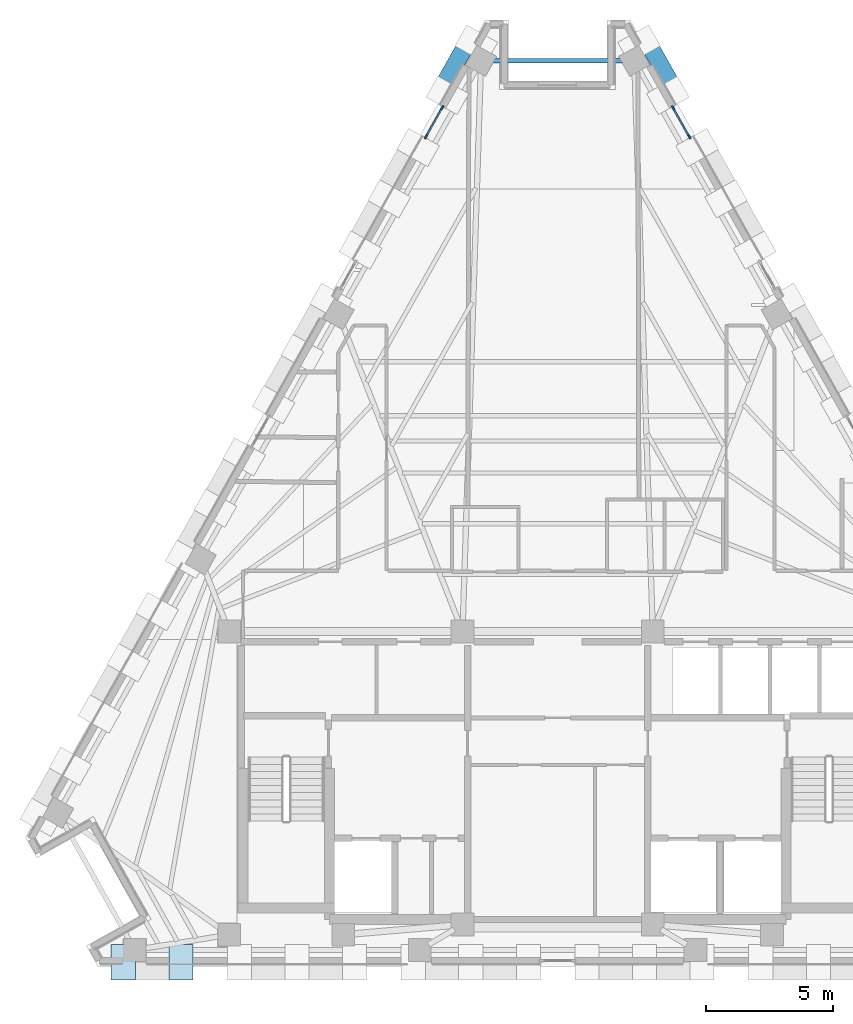
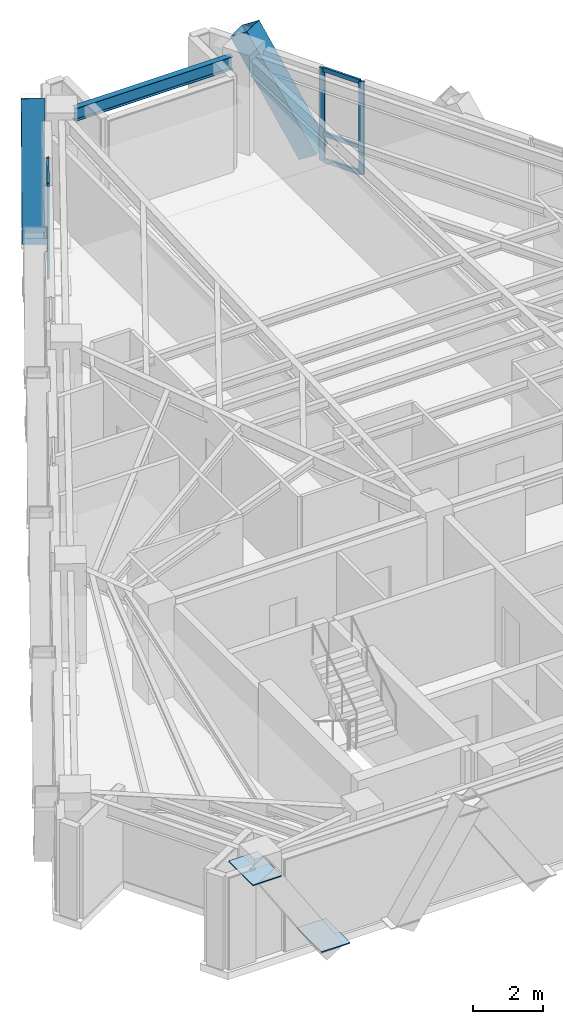
# One storey, part 5 of 12: 12 members, 2 plates, 1 beam, 2 elements without a shape of their own.
"""IFC4 building model written with IfcOpenShell, lengths in metres."""

import ifcopenshell
import ifcopenshell.guid

model = None  # the IFC model being written
_history = None  # IfcOwnerHistory: only IFC2X3 demands one
_inside = {}  # id of a spatial element -> (the spatial element, [elements in it])
_under = {}  # id of a project, library or spatial element -> (it, [spatial elements below it])
_declared = {}  # id of a project -> (the project, [libraries it declares])
_typed = {}  # id of a type object -> (the type object, [elements of that type])
_made_of = {}  # id of a material, layer set ... -> (it, [elements and type objects made of it])


def new_model(schema):
    """Start an empty IFC model of exactly this schema.

    Asked for "IFC4X3", IfcOpenShell would pick the latest addendum, in which some entities
    have other attributes; the version numbers below select the first issue.
    IFC2X3 requires an IfcOwnerHistory on every rooted entity: one is made here for all.
    """
    global model, _history
    if schema == "IFC4X3":
        model = ifcopenshell.file(schema_version=(4, 3, 0, 0))
    else:
        model = ifcopenshell.file(schema=schema)
    _inside.clear()
    _under.clear()
    _declared.clear()
    _typed.clear()
    _made_of.clear()
    _history = None
    if model.schema == "IFC2X3":
        org = make("IfcOrganization", Name="unknown")
        user = make(
            "IfcPersonAndOrganization",
            ThePerson=make("IfcPerson", FamilyName="unknown"),
            TheOrganization=org,
        )
        app = make(
            "IfcApplication",
            ApplicationDeveloper=org,
            Version="unknown",
            ApplicationFullName="unknown",
            ApplicationIdentifier="unknown",
        )
        _history = make(
            "IfcOwnerHistory",
            OwningUser=user,
            OwningApplication=app,
            ChangeAction="ADDED",
            CreationDate=0,
        )
    return model


def make(cls, **values):
    """One entity of the class cls with the attributes given. An attribute that is None is left unset."""
    return model.create_entity(
        cls, **{name: value for name, value in values.items() if value is not None}
    )


def rooted(cls, **values):
    """An entity with a GlobalId (a new one), such as an element, a storey or a relation."""
    return make(cls, GlobalId=ifcopenshell.guid.new(), OwnerHistory=_history, **values)


def si_unit(unit_type, name, prefix=None):
    """IfcSIUnit, for example si_unit("LENGTHUNIT", "METRE", prefix="MILLI")."""
    return make("IfcSIUnit", UnitType=unit_type, Prefix=prefix, Name=name)


def assignment(units):
    """IfcUnitAssignment: the units of a project."""
    return None if units is None else make("IfcUnitAssignment", Units=units)


def point(xyz):
    """IfcCartesianPoint."""
    return None if xyz is None else make("IfcCartesianPoint", Coordinates=xyz)


def direction(xyz):
    """IfcDirection."""
    return None if xyz is None else make("IfcDirection", DirectionRatios=xyz)


def frame(location, z_axis=None, x_axis=None):
    """IfcAxis2Placement3D, a coordinate frame: its origin and axes. An axis left out is left unset."""
    return make(
        "IfcAxis2Placement3D",
        Location=point(location),
        Axis=direction(z_axis),
        RefDirection=direction(x_axis),
    )


def frame_2d(location, x_axis=None):
    """IfcAxis2Placement2D, a coordinate frame in the plane: its origin and x axis."""
    return make(
        "IfcAxis2Placement2D", Location=point(location), RefDirection=direction(x_axis)
    )


def origin():
    """The frame at (0, 0, 0) with its axes left unset."""
    return frame((0.0, 0.0, 0.0))


def origin_2d():
    """The frame at (0, 0) in the plane with its x axis left unset."""
    return frame_2d((0.0, 0.0))


def place(relative_to, where):
    """IfcLocalPlacement: puts the frame where relative to a parent placement (None: the world)."""
    return make(
        "IfcLocalPlacement", PlacementRelTo=relative_to, RelativePlacement=where
    )


def context(
    kind, dimensions, precision=None, world=None, true_north=None, identifier=None
):
    """IfcGeometricRepresentationContext, for example the 3D "Model" context."""
    return make(
        "IfcGeometricRepresentationContext",
        ContextIdentifier=identifier,
        ContextType=kind,
        CoordinateSpaceDimension=dimensions,
        Precision=precision,
        WorldCoordinateSystem=world,
        TrueNorth=true_north,
    )


def subcontext(parent, identifier, kind, view, scale=None):
    """IfcGeometricRepresentationSubContext, for example "Body" below "Model"."""
    return make(
        "IfcGeometricRepresentationSubContext",
        ContextIdentifier=identifier,
        ContextType=kind,
        ParentContext=parent,
        TargetScale=scale,
        TargetView=view,
    )


def project(units=None, contexts=None):
    """IfcProject with its units and contexts."""
    return rooted(
        "IfcProject",
        Name="project",
        RepresentationContexts=contexts,
        UnitsInContext=assignment(units),
    )


def spatial(cls, under=None, at=None, **own):
    """A site, building, storey or space (cls), placed at a placement, below another one or the project."""
    s = rooted(cls, ObjectPlacement=at, **own)
    if under is not None:
        _under.setdefault(under.id(), (under, []))[1].append(s)
    return s


def profile(cls, at=None, kind="AREA", **sizes):
    """A parametric profile (cls). Its sizes go by their IFC names, for example OverallWidth=200.0."""
    return make(cls, ProfileType=kind, Position=at, **sizes)


def rectangle(**sizes):
    """IfcRectangleProfileDef."""
    return profile("IfcRectangleProfileDef", **sizes)


def hollow_rectangle(**sizes):
    """IfcRectangleHollowProfileDef."""
    return profile("IfcRectangleHollowProfileDef", **sizes)


def i_section(**sizes):
    """IfcIShapeProfileDef."""
    return profile("IfcIShapeProfileDef", **sizes)


def extrude(swept, where, along, depth):
    """IfcExtrudedAreaSolid: the profile swept, set in the frame where, extruded along a direction by depth."""
    return make(
        "IfcExtrudedAreaSolid",
        SweptArea=swept,
        Position=where,
        ExtrudedDirection=direction(along),
        Depth=depth,
    )


def shape(context_of_items, identifier, shape_type, items):
    """IfcShapeRepresentation: the items that make up one representation, for example the "Body"."""
    return make(
        "IfcShapeRepresentation",
        ContextOfItems=context_of_items,
        RepresentationIdentifier=identifier,
        RepresentationType=shape_type,
        Items=items,
    )


def material(Name=None, Category=None):
    """IfcMaterial."""
    return make("IfcMaterial", Name=Name, Category=Category)


def layer(
    of_material, thickness, ventilated=None, Name=None, Category=None, Priority=None
):
    """IfcMaterialLayer: one layer of a wall or slab, of a material (None: an air gap)."""
    return make(
        "IfcMaterialLayer",
        Material=of_material,
        LayerThickness=thickness,
        IsVentilated=ventilated,
        Name=Name,
        Category=Category,
        Priority=Priority,
    )


def layer_set(layers, Name=None):
    """IfcMaterialLayerSet."""
    return make("IfcMaterialLayerSet", MaterialLayers=layers, LayerSetName=Name)


def material_profile(
    of_material, cross_section, Name=None, Category=None, Priority=None
):
    """IfcMaterialProfile: a cross section and its material."""
    return make(
        "IfcMaterialProfile",
        Name=Name,
        Material=of_material,
        Profile=cross_section,
        Priority=Priority,
        Category=Category,
    )


def profile_set(profiles, Name=None, composite=None):
    """IfcMaterialProfileSet."""
    return make(
        "IfcMaterialProfileSet",
        Name=Name,
        MaterialProfiles=profiles,
        CompositeProfile=composite,
    )


def made_of(thing, what):
    """Note that an element or type object is made of a material, layer set ...; save() writes the relation."""
    if what is not None:
        _made_of.setdefault(what.id(), (what, []))[1].append(thing)
    return thing


def type_object(cls, material=None, **own):
    """A type object (cls), such as IfcWallType, which elements share."""
    return made_of(rooted(cls, **own), material)


def element(
    cls,
    number,
    at=None,
    inside=None,
    cuts=None,
    type_object=None,
    material=None,
    context=None,
    identifier="Body",
    shape_type=None,
    held_by="IfcProductDefinitionShape",
    body=None,
    shapes=None,
    **own,
):
    """One element of the class cls, such as IfcWall. Its Tag is "e" and its number.

    at: its placement. inside: the storey or other place that contains it. cuts: it is an
    opening in that element (IfcRelVoidsElement). A single representation is given by context,
    identifier, shape_type and body (its items); several are given by shapes. held_by: the class
    of the entity that holds the representations. save() writes the other relations.
    """
    e = rooted(cls, Tag="e%d" % number, ObjectPlacement=at, **own)
    if body is not None:
        shapes = [shape(context, identifier, shape_type, body)]
    if shapes is not None:
        e.Representation = make(held_by, Representations=shapes)
    if inside is not None:
        _inside.setdefault(inside.id(), (inside, []))[1].append(e)
    if cuts is not None:
        rooted(
            "IfcRelVoidsElement", RelatingBuildingElement=cuts, RelatedOpeningElement=e
        )
    if type_object is not None:
        _typed.setdefault(type_object.id(), (type_object, []))[1].append(e)
    return made_of(e, material)


def aggregate(whole, parts):
    """IfcRelAggregates: a whole, such as a stair, and the parts it consists of."""
    return rooted("IfcRelAggregates", RelatingObject=whole, RelatedObjects=parts)


def save(model, path):
    """Write the relations noted so far, then the file.

    IfcRelAggregates (storeys below a building ...), IfcRelContainedInSpatialStructure (elements
    in a storey), IfcRelDefinesByType, IfcRelAssociatesMaterial and IfcRelDeclares: one each for
    every whole, place, type object, material and project.
    """
    for whole, parts in _under.values():
        aggregate(whole, parts)
    for where, things in _inside.values():
        rooted(
            "IfcRelContainedInSpatialStructure",
            RelatedElements=things,
            RelatingStructure=where,
        )
    for kind, things in _typed.values():
        rooted("IfcRelDefinesByType", RelatedObjects=things, RelatingType=kind)
    for what, things in _made_of.values():
        rooted("IfcRelAssociatesMaterial", RelatedObjects=things, RelatingMaterial=what)
    for by, libraries in _declared.values():
        rooted("IfcRelDeclares", RelatingContext=by, RelatedDefinitions=libraries)
    model.write(path)


model = new_model("IFC4")

# Units and contexts
model_context = context("Model", 3, precision=1e-05, world=origin(), true_north=direction((0.0, 1.0)))
body_context = subcontext(model_context, "Body", "Model", "MODEL_VIEW")
ifc_project = project(units=[si_unit("LENGTHUNIT", "METRE"), si_unit("AREAUNIT", "SQUARE_METRE"), si_unit("VOLUMEUNIT", "CUBIC_METRE"), si_unit("PLANEANGLEUNIT", "RADIAN"), si_unit("MASSUNIT", "GRAM", prefix="KILO")], contexts=[model_context])

# Site, building, storey
site_placement = place(None, origin())
site = spatial("IfcSite", under=ifc_project, at=site_placement, CompositionType="ELEMENT")
building_placement = place(site_placement, origin())
building = spatial("IfcBuilding", under=site, at=building_placement, Name="Quenlor Broadcast Tower", CompositionType="ELEMENT")
storey_placement = place(building_placement, frame((0.0, 0.0, 197.39990234375)))
storey = spatial("IfcBuildingStorey", under=building, at=storey_placement, Name="L54", CompositionType="ELEMENT", Elevation=197.39990234375)

# Curtain wall, members
ifc_material_1 = material(Name="Architectural Terracotta and Low-E Glazing", Category="masonry")
curtain_wall_type = type_object("IfcCurtainWallType", Name="Unitised Terracotta Curtain Wall System Z4", PredefinedType="NOTDEFINED", material=ifc_material_1)
curtain_wall_1_placement = place(storey_placement, origin())
curtain_wall_1 = element("IfcCurtainWall", 1, at=curtain_wall_1_placement, inside=storey, type_object=curtain_wall_type, Name="L54 Curtain Wall CW4 (L54-NEA-G1)", PredefinedType="NOTDEFINED")
ifc_material_2 = material(Name="Aluminium 6063-T6", Category="aluminium")
ifc_material_profile_1 = material_profile(ifc_material_2, rectangle(XDim=0.068115234375, YDim=0.179931640625, at=origin_2d()))
ifc_profile_set_1 = profile_set([ifc_material_profile_1], Name="Aluminium 6063-T6 MULL68x180")
member_type_1 = type_object("IfcMemberType", Name="CW4 Aluminium Mullion MULL_CW4", PredefinedType="MULLION", material=ifc_profile_set_1)
member_1_placement = place(storey_placement, frame((4.550048828125, 15.85205078125, 0.0), z_axis=(0.0, 0.0, 1.0), x_axis=(0.871560008943, 0.490288844266, 0.0)))
member_1 = element("IfcMember", 2, at=member_1_placement, type_object=member_type_1, Name="CW4 mullion 1", PredefinedType="MULLION", context=body_context, shape_type="SweptSolid", body=[
    extrude(rectangle(XDim=0.068115234375, YDim=0.179931640625, at=origin_2d()), origin(), (0.0, 0.0, 1.0), 3.25),
])
member_2_placement = place(storey_placement, frame((5.19140625, 14.7119140625, 0.0), z_axis=(0.0, 0.0, 1.0), x_axis=(0.871560008943, 0.490288844266, 0.0)))
member_2 = element("IfcMember", 3, at=member_2_placement, type_object=member_type_1, Name="CW4 mullion 2", PredefinedType="MULLION", context=body_context, shape_type="SweptSolid", body=[
    extrude(rectangle(XDim=0.068115234375, YDim=0.179931640625, at=origin_2d()), origin(), (0.0, 0.0, 1.0), 3.25),
])

curtain_wall_2_placement = place(storey_placement, origin())
curtain_wall_2 = element("IfcCurtainWall", 4, at=curtain_wall_2_placement, inside=storey, type_object=curtain_wall_type, Name="L54 Curtain Wall CW4 (L54-NWC-G2)", PredefinedType="NOTDEFINED")
member_3_placement = place(storey_placement, frame((-5.19140625, 14.7119140625, 0.0), z_axis=(0.0, 0.0, 1.0), x_axis=(-0.871560008943, 0.490288844266, 0.0)))
member_3 = element("IfcMember", 5, at=member_3_placement, type_object=member_type_1, Name="CW4 mullion 1", PredefinedType="MULLION", context=body_context, shape_type="SweptSolid", body=[
    extrude(rectangle(XDim=0.068115234375, YDim=0.179931640625, at=origin_2d()), origin(), (0.0, 0.0, 1.0), 3.25),
])
member_4_placement = place(storey_placement, frame((-4.550048828125, 15.85205078125, 0.0), z_axis=(0.0, 0.0, 1.0), x_axis=(-0.871560008943, 0.490288844266, 0.0)))
member_4 = element("IfcMember", 6, at=member_4_placement, type_object=member_type_1, Name="CW4 mullion 2", PredefinedType="MULLION", context=body_context, shape_type="SweptSolid", body=[
    extrude(rectangle(XDim=0.068115234375, YDim=0.179931640625, at=origin_2d()), origin(), (0.0, 0.0, 1.0), 3.25),
])

# Member
ifc_material_3 = material(Name="Aluminium 6063-T6", Category="aluminium")
ifc_material_profile_2 = material_profile(ifc_material_3, rectangle(XDim=0.068115234375, YDim=0.14990234375, at=origin_2d()))
ifc_profile_set_2 = profile_set([ifc_material_profile_2], Name="Aluminium 6063-T6 TRAN68x150")
member_type_2 = type_object("IfcMemberType", Name="CW4 Aluminium Transom TRAN_CW4", PredefinedType="USERDEFINED", material=ifc_profile_set_2)
member_5_placement = place(storey_placement, frame((4.566650390625, 15.822265625, 0.0341796875), z_axis=(0.490317332982, -0.871543982239, 0.0), x_axis=(0.871543982239, 0.490317332982, 0.0)))
member_5 = element("IfcMember", 7, at=member_5_placement, type_object=member_type_2, Name="CW4 transom 1.1", ObjectType="TRANSOM", PredefinedType="USERDEFINED", context=body_context, shape_type="SweptSolid", body=[
    extrude(rectangle(XDim=0.068115234375, YDim=0.14990234375, at=origin_2d()), origin(), (0.0, 0.0, 1.0), 1.23974609375),
])

member_6_placement = place(storey_placement, frame((4.566650390625, 15.822265625, 0.9501953125), z_axis=(0.490317332982, -0.871543982239, 0.0), x_axis=(0.871543982239, 0.490317332982, 0.0)))
member_6 = element("IfcMember", 8, at=member_6_placement, type_object=member_type_2, Name="CW4 transom 1.2", ObjectType="TRANSOM", PredefinedType="USERDEFINED", context=body_context, shape_type="SweptSolid", body=[
    extrude(rectangle(XDim=0.068115234375, YDim=0.14990234375, at=origin_2d()), origin(), (0.0, 0.0, 1.0), 1.23974609375),
])

member_7_placement = place(storey_placement, frame((4.566650390625, 15.822265625, 3.216064453125), z_axis=(0.490317332982, -0.871543982239, 0.0), x_axis=(0.871543982239, 0.490317332982, 0.0)))
member_7 = element("IfcMember", 9, at=member_7_placement, type_object=member_type_2, Name="CW4 transom 1.3", ObjectType="TRANSOM", PredefinedType="USERDEFINED", context=body_context, shape_type="SweptSolid", body=[
    extrude(rectangle(XDim=0.068115234375, YDim=0.14990234375, at=origin_2d()), origin(), (0.0, 0.0, 1.0), 1.23974609375),
])

aggregate(curtain_wall_1, [member_1, member_2, member_5, member_6, member_7])

member_8_placement = place(storey_placement, frame((-5.174560546875, 14.74169921875, 0.0341796875), z_axis=(0.490317332982, 0.871543982239, 0.0), x_axis=(-0.871543982239, 0.490317332982, 0.0)))
member_8 = element("IfcMember", 10, at=member_8_placement, type_object=member_type_2, Name="CW4 transom 1.1", ObjectType="TRANSOM", PredefinedType="USERDEFINED", context=body_context, shape_type="SweptSolid", body=[
    extrude(rectangle(XDim=0.068115234375, YDim=0.14990234375, at=origin_2d()), origin(), (0.0, 0.0, 1.0), 1.23974609375),
])

member_9_placement = place(storey_placement, frame((-5.174560546875, 14.74169921875, 0.9501953125), z_axis=(0.490317332982, 0.871543982239, 0.0), x_axis=(-0.871543982239, 0.490317332982, 0.0)))
member_9 = element("IfcMember", 11, at=member_9_placement, type_object=member_type_2, Name="CW4 transom 1.2", ObjectType="TRANSOM", PredefinedType="USERDEFINED", context=body_context, shape_type="SweptSolid", body=[
    extrude(rectangle(XDim=0.068115234375, YDim=0.14990234375, at=origin_2d()), origin(), (0.0, 0.0, 1.0), 1.23974609375),
])

member_10_placement = place(storey_placement, frame((-5.174560546875, 14.74169921875, 3.216064453125), z_axis=(0.490317332982, 0.871543982239, 0.0), x_axis=(-0.871543982239, 0.490317332982, 0.0)))
member_10 = element("IfcMember", 12, at=member_10_placement, type_object=member_type_2, Name="CW4 transom 1.3", ObjectType="TRANSOM", PredefinedType="USERDEFINED", context=body_context, shape_type="SweptSolid", body=[
    extrude(rectangle(XDim=0.068115234375, YDim=0.14990234375, at=origin_2d()), origin(), (0.0, 0.0, 1.0), 1.23974609375),
])

aggregate(curtain_wall_2, [member_3, member_4, member_8, member_9, member_10])

# Members
ifc_material_4 = material(Name="Steel S355", Category="steel")
ifc_material_profile_3 = material_profile(ifc_material_4, hollow_rectangle(XDim=0.679931640625, YDim=0.679931640625, WallThickness=0.02490234375, at=origin_2d()))
ifc_profile_set_3 = profile_set([ifc_material_profile_3], Name="Steel S355 RHS680x680x25")
member_type_3 = type_object("IfcMemberType", Name="Perimeter Diagonal Lattice Brace Z3-Z4 Steel S355 RHS680x25", PredefinedType="BRACE", material=ifc_profile_set_3)
for number, where, z_axis, x_axis, name in (
    (13, (4.63671875, 16.50390625, -0.119873046875), (-0.269539530269, 0.479181387144, 0.835304519224), (-0.871575537125, -0.490261239633, 0.0), "L54 Perimeter Diamond Lattice NE-C1B"),
    (14, (-4.63671875, 16.50390625, -0.119873046875), (0.269539530269, 0.479181387144, 0.835304519224), (-0.871575537125, 0.490261239633, 0.0), "L54 Perimeter Diamond Lattice NW-C5S"),
):
    element("IfcMember", number, at=place(storey_placement, frame(where, z_axis=z_axis, x_axis=x_axis)), inside=storey, type_object=member_type_3, Name=name, PredefinedType="BRACE", context=body_context, shape_type="SweptSolid", body=[
        extrude(hollow_rectangle(XDim=0.679931640625, YDim=0.679931640625, WallThickness=0.02490234375, at=origin_2d()), origin(), (0.0, 0.0, 1.0), 4.190185546875),
    ])

# Beam
ifc_material_5 = material(Name="Steel S355", Category="steel")
ifc_material_profile_4 = material_profile(ifc_material_5, i_section(OverallWidth=0.18994140625, OverallDepth=0.453857421875, WebThickness=0.008544921875, FlangeThickness=0.0126953125, FilletRadius=0.011474609375, at=origin_2d()))
ifc_profile_set_4 = profile_set([ifc_material_profile_4], Name="Steel S355 460UB67.1")
beam_type = type_object("IfcBeamType", Name="Perimeter Spandrel Beam Z4 Steel S355 460UB67.1", PredefinedType="SPANDREL", material=ifc_profile_set_4)
beam_placement = place(storey_placement, frame((2.610595703125, 17.704345703125, 3.023193359375), z_axis=(-1.0, 0.0, 0.0), x_axis=(0.0, -1.0, 0.0)))
element("IfcBeam", 15, at=beam_placement, inside=storey, type_object=beam_type, Name="L54 Spandrel Beam NE4-NW1", PredefinedType="SPANDREL", context=body_context, shape_type="SweptSolid", body=[
    extrude(i_section(OverallWidth=0.18994140625, OverallDepth=0.453857421875, WebThickness=0.008544921875, FlangeThickness=0.0126953125, FilletRadius=0.011474609375, at=origin_2d()), origin(), (0.0, 0.0, 1.0), 5.22119140625),
])

# Plates
ifc_material_6 = material(Name="Steel S355", Category="steel")
ifc_layer = layer(ifc_material_6, 0.035888671875)
ifc_layer_set = layer_set([ifc_layer], Name="Transfer Truss Steel S355 Gusset Node Plate 1400x950x36")
plate_type = type_object("IfcPlateType", Name="Transfer Truss Steel S355 Gusset Node Plate 1400x950x36", PredefinedType="SHEET", material=ifc_layer_set)
for number, where, z_axis, x_axis, name in (
    (16, (-14.856201171875, -17.8349609375, 0.0419921875), (0.0, 0.0, 1.0), (0.0, -1.0, 0.0), "L54 Lattice Tie Gusset Node S-B14"),
    (17, (-17.1259765625, -17.8349609375, 3.18212890625), (0.0, 0.0, 1.0), (0.0, -1.0, 0.0), "L54 Lattice Tie Gusset Node S-T15"),
):
    element("IfcPlate", number, at=place(storey_placement, frame(where, z_axis=z_axis, x_axis=x_axis)), inside=storey, type_object=plate_type, Name=name, PredefinedType="SHEET", context=body_context, shape_type="SweptSolid", body=[
        extrude(rectangle(XDim=1.39990234375, YDim=0.949951171875, at=origin_2d()), origin(), (0.0, 0.0, 1.0), 0.035888671875),
    ])

save(model, "model.ifc")
